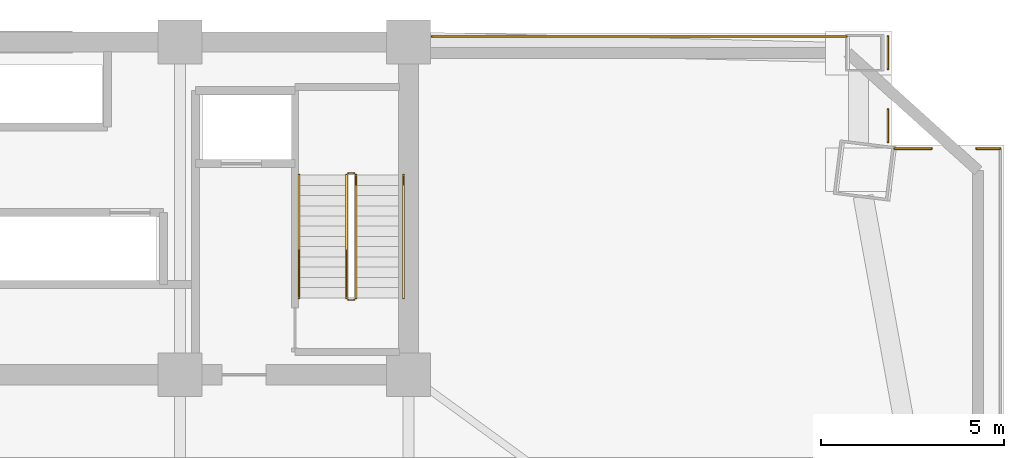
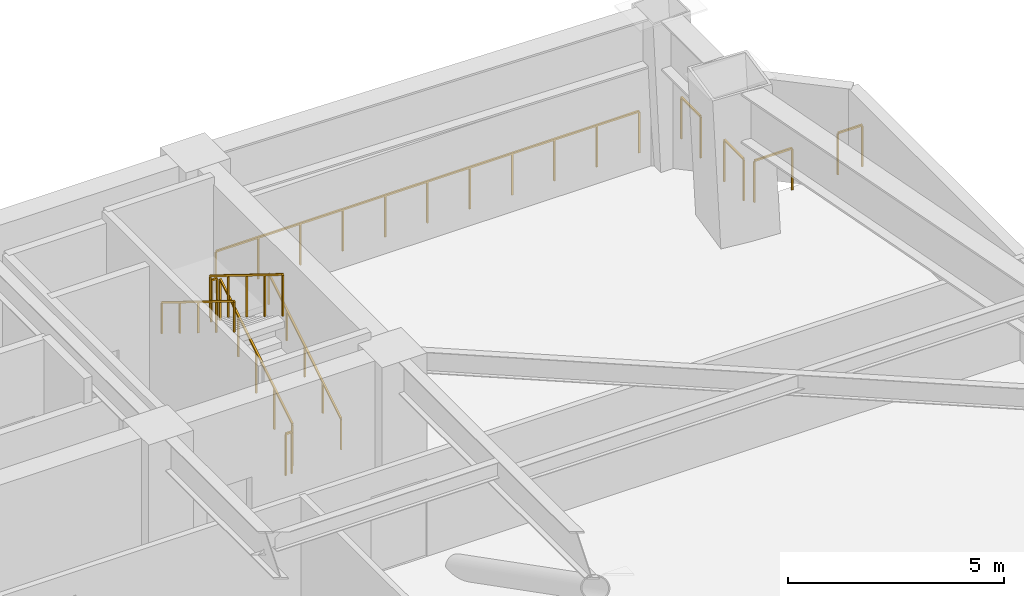
# One storey, part 10 of 10: 11 railings.
"""IFC4 building model written with IfcOpenShell, lengths in metres."""

from ifc_helpers import new_model, si_unit, direction, frame, origin, origin_2d, place, context, subcontext, project, spatial, rectangle, extrude, material, type_object, element, save


model = new_model("IFC4")

# Units and contexts
model_context = context("Model", 3, precision=1e-05, world=origin(), true_north=direction((0.0, 1.0)))
body_context = subcontext(model_context, "Body", "Model", "MODEL_VIEW")
ifc_project = project(units=[si_unit("LENGTHUNIT", "METRE"), si_unit("AREAUNIT", "SQUARE_METRE"), si_unit("VOLUMEUNIT", "CUBIC_METRE"), si_unit("PLANEANGLEUNIT", "RADIAN"), si_unit("MASSUNIT", "GRAM", prefix="KILO")], contexts=[model_context])

# Site, building, storey
site_placement = place(None, origin())
site = spatial("IfcSite", under=ifc_project, at=site_placement, CompositionType="ELEMENT")
building_placement = place(site_placement, origin())
building = spatial("IfcBuilding", under=site, at=building_placement, Name="Giltprow Tower", CompositionType="ELEMENT")
storey_placement = place(building_placement, frame((0.0, 0.0, 95.199951171875)))
storey = spatial("IfcBuildingStorey", under=building, at=storey_placement, Name="L23", CompositionType="ELEMENT", Elevation=95.199951171875)

# Railings
ifc_material = material(Name="Anodized bronze", Category="metal")
railing_type_1 = type_object("IfcRailingType", Name="RAIL-BALC-GUARD-1200", PredefinedType="BALUSTRADE", material=ifc_material)
railing_1_placement = place(storey_placement, frame((51.18505859375, 46.699951171875, 0.0)))
element("IfcRailing", 1, at=railing_1_placement, inside=storey, type_object=railing_type_1, Name="L23 Corner Apron Edge Balustrade 9", PredefinedType="BALUSTRADE", context=body_context, shape_type="SweptSolid", body=[
    extrude(rectangle(XDim=0.048095703125, YDim=0.048095703125, at=origin_2d()), frame((0.0, 0.0, 1.17578125), z_axis=(1.0, 0.0, 0.0), x_axis=(0.0, 1.0, 0.0)), (0.0, 0.0, 1.0), 11.3359375),
    extrude(rectangle(XDim=0.0419921875, YDim=0.0419921875, at=origin_2d()), origin(), (0.0, 0.0, 1.0), 1.15185546875),
    extrude(rectangle(XDim=0.0419921875, YDim=0.0419921875, at=origin_2d()), frame((1.133544921875, 0.0, 0.0)), (0.0, 0.0, 1.0), 1.15185546875),
    extrude(rectangle(XDim=0.0419921875, YDim=0.0419921875, at=origin_2d()), frame((2.26708984375, 0.0, 0.0)), (0.0, 0.0, 1.0), 1.15185546875),
    extrude(rectangle(XDim=0.0419921875, YDim=0.0419921875, at=origin_2d()), frame((3.40087890625, 0.0, 0.0)), (0.0, 0.0, 1.0), 1.15185546875),
    extrude(rectangle(XDim=0.0419921875, YDim=0.0419921875, at=origin_2d()), frame((4.534423828125, 0.0, 0.0)), (0.0, 0.0, 1.0), 1.15185546875),
    extrude(rectangle(XDim=0.0419921875, YDim=0.0419921875, at=origin_2d()), frame((5.66796875, 0.0, 0.0)), (0.0, 0.0, 1.0), 1.15185546875),
    extrude(rectangle(XDim=0.0419921875, YDim=0.0419921875, at=origin_2d()), frame((6.801513671875, 0.0, 0.0)), (0.0, 0.0, 1.0), 1.15185546875),
    extrude(rectangle(XDim=0.0419921875, YDim=0.0419921875, at=origin_2d()), frame((7.93505859375, 0.0, 0.0)), (0.0, 0.0, 1.0), 1.15185546875),
    extrude(rectangle(XDim=0.0419921875, YDim=0.0419921875, at=origin_2d()), frame((9.06884765625, 0.0, 0.0)), (0.0, 0.0, 1.0), 1.15185546875),
    extrude(rectangle(XDim=0.0419921875, YDim=0.0419921875, at=origin_2d()), frame((10.202392578125, 0.0, 0.0)), (0.0, 0.0, 1.0), 1.15185546875),
    extrude(rectangle(XDim=0.0419921875, YDim=0.0419921875, at=origin_2d()), frame((11.3359375, 0.0, 0.0)), (0.0, 0.0, 1.0), 1.15185546875),
])
railing_2_placement = place(storey_placement, frame((63.656005859375, 46.699951171875, 0.0)))
element("IfcRailing", 2, at=railing_2_placement, inside=storey, type_object=railing_type_1, Name="L23 Corner Apron Edge Balustrade 10", PredefinedType="BALUSTRADE", context=body_context, shape_type="SweptSolid", body=[
    extrude(rectangle(XDim=0.048095703125, YDim=0.048095703125, at=origin_2d()), frame((0.0, 0.0, 1.17578125), z_axis=(0.0, -1.0, 0.0), x_axis=(1.0, 0.0, 0.0)), (0.0, 0.0, 1.0), 0.889892578125),
    extrude(rectangle(XDim=0.0419921875, YDim=0.0419921875, at=origin_2d()), origin(), (0.0, 0.0, 1.0), 1.15185546875),
    extrude(rectangle(XDim=0.0419921875, YDim=0.0419921875, at=origin_2d()), frame((0.0, -0.889892578125, 0.0)), (0.0, 0.0, 1.0), 1.15185546875),
])
railing_3_placement = place(storey_placement, frame((63.656005859375, 44.7060546875, 0.0)))
element("IfcRailing", 3, at=railing_3_placement, inside=storey, type_object=railing_type_1, Name="L23 Corner Apron Edge Balustrade 11", PredefinedType="BALUSTRADE", context=body_context, shape_type="SweptSolid", body=[
    extrude(rectangle(XDim=0.048095703125, YDim=0.048095703125, at=origin_2d()), frame((0.0, 0.0, 1.17578125), z_axis=(0.0, -1.0, 0.0), x_axis=(1.0, 0.0, 0.0)), (0.0, 0.0, 1.0), 0.89111328125),
    extrude(rectangle(XDim=0.0419921875, YDim=0.0419921875, at=origin_2d()), origin(), (0.0, 0.0, 1.0), 1.15185546875),
    extrude(rectangle(XDim=0.0419921875, YDim=0.0419921875, at=origin_2d()), frame((0.0, -0.89111328125, 0.0)), (0.0, 0.0, 1.0), 1.15185546875),
])
railing_4_placement = place(storey_placement, frame((63.841064453125, 43.6298828125, 0.0)))
element("IfcRailing", 4, at=railing_4_placement, inside=storey, type_object=railing_type_1, Name="L23 Corner Apron Edge Balustrade 12", PredefinedType="BALUSTRADE", context=body_context, shape_type="SweptSolid", body=[
    extrude(rectangle(XDim=0.048095703125, YDim=0.048095703125, at=origin_2d()), frame((0.0, 0.0, 1.17578125), z_axis=(1.0, 0.0, 0.0), x_axis=(0.0, 1.0, 0.0)), (0.0, 0.0, 1.0), 1.008056640625),
    extrude(rectangle(XDim=0.0419921875, YDim=0.0419921875, at=origin_2d()), origin(), (0.0, 0.0, 1.0), 1.15185546875),
    extrude(rectangle(XDim=0.0419921875, YDim=0.0419921875, at=origin_2d()), frame((1.008056640625, 0.0, 0.0)), (0.0, 0.0, 1.0), 1.15185546875),
])
railing_5_placement = place(storey_placement, frame((66.072998046875, 43.6298828125, 0.0)))
element("IfcRailing", 5, at=railing_5_placement, inside=storey, type_object=railing_type_1, Name="L23 Corner Apron Edge Balustrade 13", PredefinedType="BALUSTRADE", context=body_context, shape_type="SweptSolid", body=[
    extrude(rectangle(XDim=0.048095703125, YDim=0.048095703125, at=origin_2d()), frame((0.0, 0.0, 1.17578125), z_axis=(1.0, 0.0, 0.0), x_axis=(0.0, 1.0, 0.0)), (0.0, 0.0, 1.0), 0.653076171875),
    extrude(rectangle(XDim=0.0419921875, YDim=0.0419921875, at=origin_2d()), origin(), (0.0, 0.0, 1.0), 1.15185546875),
    extrude(rectangle(XDim=0.0419921875, YDim=0.0419921875, at=origin_2d()), frame((0.653076171875, 0.0, 0.0)), (0.0, 0.0, 1.0), 1.15185546875),
])
railing_type_2 = type_object("IfcRailingType", Name="RAIL-STAIR-GUARD-1200", PredefinedType="GUARDRAIL", material=ifc_material)
railing_6_placement = place(storey_placement, frame((49.110107421875, 39.550048828125, 0.173095703125)))
element("IfcRailing", 6, at=railing_6_placement, inside=storey, type_object=railing_type_2, Name="L23 ST-3 stair guard 1", PredefinedType="GUARDRAIL", context=body_context, shape_type="SweptSolid", body=[
    extrude(rectangle(XDim=0.048095703125, YDim=0.048095703125, at=origin_2d()), frame((0.0, 0.0, 1.17578125), z_axis=(0.0, 0.850606129759, 0.525803396734), x_axis=(-1.0, 0.0, 0.0)), (0.0, 0.0, 1.0), 3.949951171875),
    extrude(rectangle(XDim=0.0419921875, YDim=0.0419921875, at=origin_2d()), origin(), (0.0, 0.0, 1.0), 1.15185546875),
    extrude(rectangle(XDim=0.0419921875, YDim=0.0419921875, at=origin_2d()), frame((0.0, 0.83984375, 0.519287109375)), (0.0, 0.0, 1.0), 1.15185546875),
    extrude(rectangle(XDim=0.0419921875, YDim=0.0419921875, at=origin_2d()), frame((0.0, 1.679931640625, 1.03857421875)), (0.0, 0.0, 1.0), 1.15185546875),
    extrude(rectangle(XDim=0.0419921875, YDim=0.0419921875, at=origin_2d()), frame((0.0, 2.52001953125, 1.5576171875)), (0.0, 0.0, 1.0), 1.15185546875),
    extrude(rectangle(XDim=0.0419921875, YDim=0.0419921875, at=origin_2d()), frame((0.0, 3.35986328125, 2.076904296875)), (0.0, 0.0, 1.0), 1.15185546875),
])
railing_7_placement = place(storey_placement, frame((49.06005859375, 42.9599609375, 2.25)))
element("IfcRailing", 7, at=railing_7_placement, inside=storey, type_object=railing_type_2, Name="L23 ST-3 stair guard 2", PredefinedType="GUARDRAIL", context=body_context, shape_type="SweptSolid", body=[
    extrude(rectangle(XDim=0.048095703125, YDim=0.048095703125, at=origin_2d()), frame((0.0, 0.0, 1.17578125), z_axis=(-1.0, 0.0, 0.0), x_axis=(0.0, -1.0, 0.0)), (0.0, 0.0, 1.0), 0.16015625),
    extrude(rectangle(XDim=0.0419921875, YDim=0.0419921875, at=origin_2d()), origin(), (0.0, 0.0, 1.0), 1.15185546875),
    extrude(rectangle(XDim=0.0419921875, YDim=0.0419921875, at=origin_2d()), frame((-0.16015625, 0.0, 0.0)), (0.0, 0.0, 1.0), 1.15185546875),
])
railing_8_placement = place(storey_placement, frame((48.85009765625, 42.909912109375, 2.423095703125)))
element("IfcRailing", 8, at=railing_8_placement, inside=storey, type_object=railing_type_2, Name="L23 ST-3 stair guard 3", PredefinedType="GUARDRAIL", context=body_context, shape_type="SweptSolid", body=[
    extrude(rectangle(XDim=0.048095703125, YDim=0.048095703125, at=origin_2d()), frame((0.0, 0.0, 1.17578125), z_axis=(0.0, -0.850606129759, 0.525803396734), x_axis=(1.0, 0.0, 0.0)), (0.0, 0.0, 1.0), 3.949951171875),
    extrude(rectangle(XDim=0.0419921875, YDim=0.0419921875, at=origin_2d()), origin(), (0.0, 0.0, 1.0), 1.15185546875),
    extrude(rectangle(XDim=0.0419921875, YDim=0.0419921875, at=origin_2d()), frame((0.0, -0.83984375, 0.519287109375)), (0.0, 0.0, 1.0), 1.15185546875),
    extrude(rectangle(XDim=0.0419921875, YDim=0.0419921875, at=origin_2d()), frame((0.0, -1.679931640625, 1.03857421875)), (0.0, 0.0, 1.0), 1.15185546875),
    extrude(rectangle(XDim=0.0419921875, YDim=0.0419921875, at=origin_2d()), frame((0.0, -2.52001953125, 1.5576171875)), (0.0, 0.0, 1.0), 1.15185546875),
    extrude(rectangle(XDim=0.0419921875, YDim=0.0419921875, at=origin_2d()), frame((0.0, -3.35986328125, 2.076904296875)), (0.0, 0.0, 1.0), 1.15185546875),
])
railing_9_placement = place(storey_placement, frame((49.06005859375, 39.5, 0.0)))
element("IfcRailing", 9, at=railing_9_placement, inside=storey, type_object=railing_type_2, Name="L23 ST-3 stair guard 4", PredefinedType="GUARDRAIL", context=body_context, shape_type="SweptSolid", body=[
    extrude(rectangle(XDim=0.048095703125, YDim=0.048095703125, at=origin_2d()), frame((0.0, 0.0, 1.17578125), z_axis=(-1.0, 0.0, 0.0), x_axis=(0.0, -1.0, 0.0)), (0.0, 0.0, 1.0), 0.16015625),
    extrude(rectangle(XDim=0.0419921875, YDim=0.0419921875, at=origin_2d()), origin(), (0.0, 0.0, 1.0), 1.15185546875),
    extrude(rectangle(XDim=0.0419921875, YDim=0.0419921875, at=origin_2d()), frame((-0.16015625, 0.0, 0.0)), (0.0, 0.0, 1.0), 1.15185546875),
])
railing_type_3 = type_object("IfcRailingType", Name="RAIL-STAIR-HAND-900", PredefinedType="HANDRAIL", material=ifc_material)
railing_10_placement = place(storey_placement, frame((50.409912109375, 39.550048828125, 0.173095703125)))
element("IfcRailing", 10, at=railing_10_placement, inside=storey, type_object=railing_type_3, Name="L23 ST-3 stair handrail 1", PredefinedType="HANDRAIL", context=body_context, shape_type="SweptSolid", body=[
    extrude(rectangle(XDim=0.048095703125, YDim=0.048095703125, at=origin_2d()), frame((0.0, 0.0, 0.8759765625), z_axis=(0.0, 0.850606129759, 0.525803396734), x_axis=(-1.0, 0.0, 0.0)), (0.0, 0.0, 1.0), 3.949951171875),
    extrude(rectangle(XDim=0.0419921875, YDim=0.0419921875, at=origin_2d()), origin(), (0.0, 0.0, 1.0), 0.851806640625),
    extrude(rectangle(XDim=0.0419921875, YDim=0.0419921875, at=origin_2d()), frame((0.0, 0.83984375, 0.519287109375)), (0.0, 0.0, 1.0), 0.851806640625),
    extrude(rectangle(XDim=0.0419921875, YDim=0.0419921875, at=origin_2d()), frame((0.0, 1.679931640625, 1.03857421875)), (0.0, 0.0, 1.0), 0.851806640625),
    extrude(rectangle(XDim=0.0419921875, YDim=0.0419921875, at=origin_2d()), frame((0.0, 2.52001953125, 1.5576171875)), (0.0, 0.0, 1.0), 0.851806640625),
    extrude(rectangle(XDim=0.0419921875, YDim=0.0419921875, at=origin_2d()), frame((0.0, 3.35986328125, 2.076904296875)), (0.0, 0.0, 1.0), 0.851806640625),
])
railing_11_placement = place(storey_placement, frame((47.550048828125, 42.909912109375, 2.423095703125)))
element("IfcRailing", 11, at=railing_11_placement, inside=storey, type_object=railing_type_3, Name="L23 ST-3 stair handrail 2", PredefinedType="HANDRAIL", context=body_context, shape_type="SweptSolid", body=[
    extrude(rectangle(XDim=0.048095703125, YDim=0.048095703125, at=origin_2d()), frame((0.0, 0.0, 0.8759765625), z_axis=(0.0, -0.850606129759, 0.525803396734), x_axis=(1.0, 0.0, 0.0)), (0.0, 0.0, 1.0), 3.949951171875),
    extrude(rectangle(XDim=0.0419921875, YDim=0.0419921875, at=origin_2d()), origin(), (0.0, 0.0, 1.0), 0.851806640625),
    extrude(rectangle(XDim=0.0419921875, YDim=0.0419921875, at=origin_2d()), frame((0.0, -0.83984375, 0.519287109375)), (0.0, 0.0, 1.0), 0.851806640625),
    extrude(rectangle(XDim=0.0419921875, YDim=0.0419921875, at=origin_2d()), frame((0.0, -1.679931640625, 1.03857421875)), (0.0, 0.0, 1.0), 0.851806640625),
    extrude(rectangle(XDim=0.0419921875, YDim=0.0419921875, at=origin_2d()), frame((0.0, -2.52001953125, 1.5576171875)), (0.0, 0.0, 1.0), 0.851806640625),
    extrude(rectangle(XDim=0.0419921875, YDim=0.0419921875, at=origin_2d()), frame((0.0, -3.35986328125, 2.076904296875)), (0.0, 0.0, 1.0), 0.851806640625),
])

save(model, "model.ifc")
